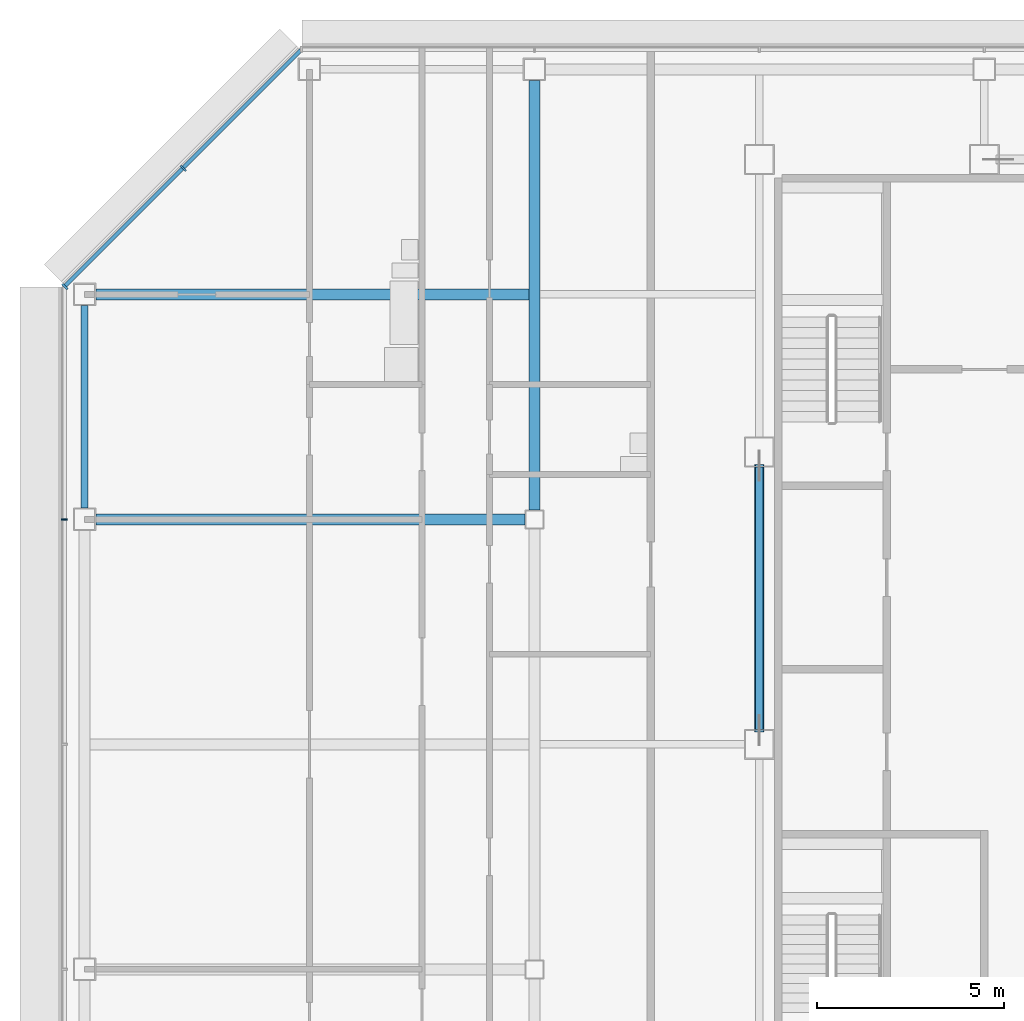
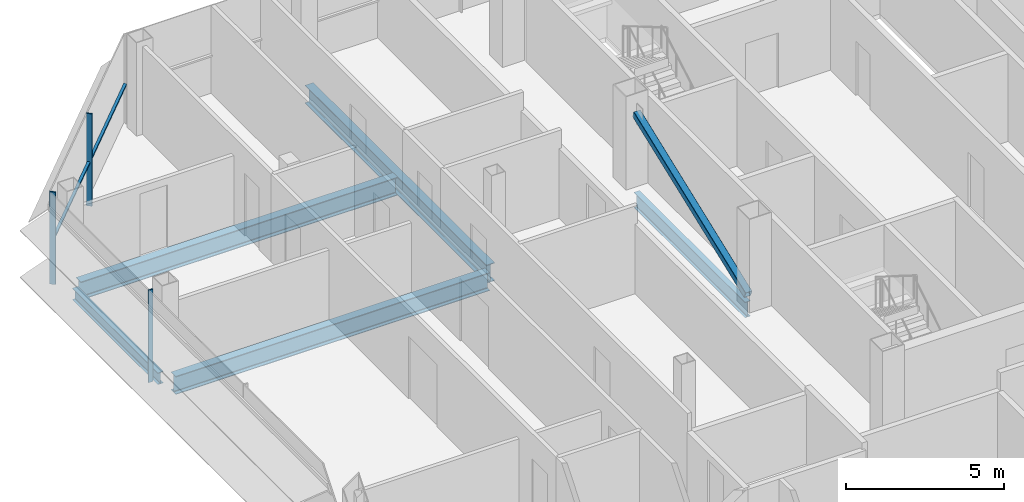
# One storey, part 12 of 28: 5 beams, 5 members, 2 elements without a shape of their own.
"""IFC4 building model written with IfcOpenShell, lengths in metres."""

from ifc_helpers import new_model, si_unit, direction, frame, origin, origin_2d, place, context, subcontext, project, spatial, rectangle, hollow_rectangle, i_section, extrude, material, material_profile, profile_set, type_object, element, aggregate, save


model = new_model("IFC4")

# Units and contexts
model_context = context("Model", 3, precision=1e-05, world=origin(), true_north=direction((0.0, 1.0)))
body_context = subcontext(model_context, "Body", "Model", "MODEL_VIEW")
ifc_project = project(units=[si_unit("LENGTHUNIT", "METRE"), si_unit("AREAUNIT", "SQUARE_METRE"), si_unit("VOLUMEUNIT", "CUBIC_METRE"), si_unit("PLANEANGLEUNIT", "RADIAN"), si_unit("MASSUNIT", "GRAM", prefix="KILO")], contexts=[model_context])

# Site, building, storey
site_placement = place(None, origin())
site = spatial("IfcSite", under=ifc_project, at=site_placement, CompositionType="ELEMENT")
building_placement = place(site_placement, origin())
building = spatial("IfcBuilding", under=site, at=building_placement, Name="Sorahane Residences", CompositionType="ELEMENT")
storey_placement = place(building_placement, frame((0.0, 0.0, 254.0)))
storey = spatial("IfcBuildingStorey", under=building, at=storey_placement, Name="L60", CompositionType="ELEMENT", Elevation=254.0)

# Member
ifc_material_1 = material(Name="Steel Q355B", Category="steel")
ifc_material_profile_1 = material_profile(ifc_material_1, hollow_rectangle(XDim=0.25, YDim=0.25, WallThickness=0.013916015625, InnerFilletRadius=0.007080078125, OuterFilletRadius=0.02099609375, at=origin_2d()), Name="RHS 250x250x14")
ifc_profile_set_1 = profile_set([ifc_material_profile_1], Name="Steel Q355B")
member_type_1 = type_object("IfcMemberType", Name="Core brace RHS 250x250x14 Q355B", PredefinedType="BRACE", material=ifc_profile_set_1)
member_1_placement = place(storey_placement, frame((6.0, 30.373291015625, 0.11474609375), z_axis=(0.0, 0.933896025874, 0.357544700502), x_axis=(-1.0, 0.0, 0.0)))
element("IfcMember", 1, at=member_1_placement, inside=storey, type_object=member_type_1, Name="Core brace L60 x6-2", PredefinedType="BRACE", context=body_context, shape_type="SweptSolid", body=[
    extrude(hollow_rectangle(XDim=0.25, YDim=0.25, WallThickness=0.013916015625, InnerFilletRadius=0.007080078125, OuterFilletRadius=0.02099609375, at=origin_2d()), origin(), (0.0, 0.0, 1.0), 7.552734375),
])

# Curtain wall, member
ifc_material_2 = material(Name="Dark low-e glass and black anodised aluminium", Category="aluminium")
curtain_wall_type_1 = type_object("IfcCurtainWallType", Name="Curtain wall CW-1 Typical unitised wall", PredefinedType="NOTDEFINED", material=ifc_material_2)
curtain_wall_1_placement = place(storey_placement, origin())
curtain_wall_1 = element("IfcCurtainWall", 2, at=curtain_wall_1_placement, inside=storey, type_object=curtain_wall_type_1, Name="CW-1 curtain wall L60 W1", PredefinedType="NOTDEFINED")
ifc_material_3 = material(Name="Black anodised aluminium", Category="aluminium")
ifc_material_profile_2 = material_profile(ifc_material_3, rectangle(XDim=0.159912109375, YDim=0.050048828125, at=origin_2d()), Name="Curtain wall mullion CW-1 black anodised aluminium 50x160")
ifc_profile_set_2 = profile_set([ifc_material_profile_2], Name="Black anodised aluminium")
member_type_2 = type_object("IfcMemberType", Name="Curtain wall mullion CW-1 black anodised aluminium 50x160", PredefinedType="MULLION", material=ifc_profile_set_2)
member_2_placement = place(storey_placement, frame((-12.5400390625, 36.0, -0.179931640625), z_axis=(0.0, 0.0, 1.0), x_axis=(-1.0, 0.0, 0.0)))
member_2 = element("IfcMember", 3, at=member_2_placement, type_object=member_type_2, Name="CW-1 mullion L60 W1.2", PredefinedType="MULLION", context=body_context, shape_type="SweptSolid", body=[
    extrude(rectangle(XDim=0.159912109375, YDim=0.050048828125, at=origin_2d()), origin(), (0.0, 0.0, 1.0), 3.559814453125),
])
aggregate(curtain_wall_1, [member_2])

# Curtain wall, members
ifc_material_4 = material(Name="Dark low-e glass and black anodised aluminium", Category="aluminium")
curtain_wall_type_2 = type_object("IfcCurtainWallType", Name="Curtain wall CW-2 Chamfer unitised wall", PredefinedType="NOTDEFINED", material=ifc_material_4)
curtain_wall_2_placement = place(storey_placement, origin())
curtain_wall_2 = element("IfcCurtainWall", 4, at=curtain_wall_2_placement, inside=storey, type_object=curtain_wall_type_2, Name="CW-2 curtain wall L60 NW1", PredefinedType="NOTDEFINED")
ifc_material_5 = material(Name="Black anodised aluminium", Category="aluminium")
ifc_material_profile_3 = material_profile(ifc_material_5, rectangle(XDim=0.199951171875, YDim=0.050048828125, at=origin_2d()), Name="Curtain wall mullion CW-2 black anodised aluminium 50x200")
ifc_profile_set_3 = profile_set([ifc_material_profile_3], Name="Black anodised aluminium")
member_type_3 = type_object("IfcMemberType", Name="Curtain wall mullion CW-2 black anodised aluminium 50x200", PredefinedType="MULLION", material=ifc_profile_set_3)
member_3_placement = place(storey_placement, frame((-9.36767578125, 45.36767578125, -0.179931640625), z_axis=(0.0, 0.0, 1.0), x_axis=(-0.707106781187, 0.707106781187, 0.0)))
member_3 = element("IfcMember", 5, at=member_3_placement, type_object=member_type_3, Name="CW-2 mullion L60 NW1.2", PredefinedType="MULLION", context=body_context, shape_type="SweptSolid", body=[
    extrude(rectangle(XDim=0.199951171875, YDim=0.050048828125, at=origin_2d()), origin(), (0.0, 0.0, 1.0), 3.559814453125),
])
member_4_placement = place(storey_placement, frame((-12.525634765625, 42.209716796875, -0.179931640625), z_axis=(0.0, 0.0, 1.0), x_axis=(-0.707106781187, 0.707106781187, 0.0)))
member_4 = element("IfcMember", 6, at=member_4_placement, type_object=member_type_3, Name="CW-2 mullion L60 NW1.3", PredefinedType="MULLION", context=body_context, shape_type="SweptSolid", body=[
    extrude(rectangle(XDim=0.199951171875, YDim=0.050048828125, at=origin_2d()), origin(), (0.0, 0.0, 1.0), 3.559814453125),
])
ifc_material_6 = material(Name="Black anodised aluminium", Category="aluminium")
ifc_material_profile_4 = material_profile(ifc_material_6, rectangle(XDim=0.10009765625, YDim=0.06005859375, at=origin_2d()), Name="Curtain wall transom CW-2 black anodised aluminium 60x100")
ifc_profile_set_4 = profile_set([ifc_material_profile_4], Name="Black anodised aluminium")
member_type_4 = type_object("IfcMemberType", Name="Curtain wall transom CW-2 black anodised aluminium 60x100", PredefinedType="USERDEFINED", material=ifc_profile_set_4)
member_5_placement = place(storey_placement, frame((-6.234375, 48.51513671875, 1.5), z_axis=(-0.707106781187, -0.707106781187, 0.0), x_axis=(0.707106781187, -0.707106781187, 0.0)))
member_5 = element("IfcMember", 7, at=member_5_placement, type_object=member_type_4, Name="CW-2 transom L60 NW1", ObjectType="TRANSOM", PredefinedType="USERDEFINED", context=body_context, shape_type="SweptSolid", body=[
    extrude(rectangle(XDim=0.10009765625, YDim=0.06005859375, at=origin_2d()), origin(), (0.0, 0.0, 1.0), 8.88232421875),
])
aggregate(curtain_wall_2, [member_3, member_4, member_5])

# Beams
ifc_material_7 = material(Name="Steel Q355B", Category="steel")
ifc_material_profile_5 = material_profile(ifc_material_7, i_section(OverallWidth=0.199951171875, OverallDepth=0.449951171875, WebThickness=0.009033203125, FlangeThickness=0.013916015625, FilletRadius=0.02001953125, at=origin_2d()), Name="HN 450x200x9x14")
ifc_profile_set_5 = profile_set([ifc_material_profile_5], Name="Steel Q355B")
beam_type_1 = type_object("IfcBeamType", Name="Steel floor beam HN 450x200x9x14 Q355B", PredefinedType="BEAM", material=ifc_profile_set_5)
beam_1_placement = place(storey_placement, frame((-12.0, 36.300048828125, -0.405029296875), z_axis=(0.0, 1.0, 0.0), x_axis=(-1.0, 0.0, 0.0)))
element("IfcBeam", 8, at=beam_1_placement, inside=storey, type_object=beam_type_1, Name="Beam L60 023", PredefinedType="BEAM", context=body_context, shape_type="SweptSolid", body=[
    extrude(i_section(OverallWidth=0.199951171875, OverallDepth=0.449951171875, WebThickness=0.009033203125, FlangeThickness=0.013916015625, FilletRadius=0.02001953125, at=origin_2d()), origin(), (0.0, 0.0, 1.0), 5.39990234375),
])
ifc_material_8 = material(Name="Steel Q355B", Category="steel")
ifc_material_profile_6 = material_profile(ifc_material_8, i_section(OverallWidth=0.199951171875, OverallDepth=0.60009765625, WebThickness=0.010986328125, FlangeThickness=0.01708984375, FilletRadius=0.02392578125, at=origin_2d()), Name="HN 600x200x11x17")
ifc_profile_set_6 = profile_set([ifc_material_profile_6], Name="Steel Q355B")
beam_type_2 = type_object("IfcBeamType", Name="Steel floor beam HN 600x200x11x17 Q355B", PredefinedType="BEAM", material=ifc_profile_set_6)
beam_2_placement = place(storey_placement, frame((6.0, 30.39990234375, -0.47998046875), z_axis=(0.0, 1.0, 0.0), x_axis=(-1.0, 0.0, 0.0)))
element("IfcBeam", 9, at=beam_2_placement, inside=storey, type_object=beam_type_2, Name="Beam L60 031", PredefinedType="BEAM", context=body_context, shape_type="SweptSolid", body=[
    extrude(i_section(OverallWidth=0.199951171875, OverallDepth=0.60009765625, WebThickness=0.010986328125, FlangeThickness=0.01708984375, FilletRadius=0.02392578125, at=origin_2d()), origin(), (0.0, 0.0, 1.0), 7.0),
])
ifc_material_9 = material(Name="Steel Q355B", Category="steel")
ifc_material_profile_7 = material_profile(ifc_material_9, i_section(OverallWidth=0.300048828125, OverallDepth=0.699951171875, WebThickness=0.012939453125, FlangeThickness=0.02392578125, FilletRadius=0.028076171875, at=origin_2d()), Name="HN 700x300x13x24")
ifc_profile_set_7 = profile_set([ifc_material_profile_7], Name="Steel Q355B")
beam_type_3 = type_object("IfcBeamType", Name="Steel floor beam HN 700x300x13x24 Q355B", PredefinedType="BEAM", material=ifc_profile_set_7)
for number, where, z_axis, x_axis, name in (
    (10, (-11.699951171875, 36.0, -0.530029296875), (1.0, 0.0, 0.0), (0.0, 1.0, 0.0), "Beam L60 013"),
    (11, (0.0, 36.25, -0.530029296875), (0.0, 1.0, 0.0), (-1.0, 0.0, 0.0), "Beam L60 027"),
):
    element("IfcBeam", number, at=place(storey_placement, frame(where, z_axis=z_axis, x_axis=x_axis)), inside=storey, type_object=beam_type_3, Name=name, PredefinedType="BEAM", context=body_context, shape_type="SweptSolid", body=[
        extrude(i_section(OverallWidth=0.300048828125, OverallDepth=0.699951171875, WebThickness=0.012939453125, FlangeThickness=0.02392578125, FilletRadius=0.028076171875, at=origin_2d()), origin(), (0.0, 0.0, 1.0), 11.449951171875),
    ])
beam_3_placement = place(storey_placement, frame((-11.699951171875, 42.0, -0.530029296875), z_axis=(1.0, 0.0, 0.0), x_axis=(0.0, 1.0, 0.0)))
element("IfcBeam", 12, at=beam_3_placement, inside=storey, type_object=beam_type_3, Name="Beam L60 089", PredefinedType="BEAM", context=body_context, shape_type="SweptSolid", body=[
    extrude(i_section(OverallWidth=0.300048828125, OverallDepth=0.699951171875, WebThickness=0.012939453125, FlangeThickness=0.02392578125, FilletRadius=0.028076171875, at=origin_2d()), origin(), (0.0, 0.0, 1.0), 11.550048828125),
])

save(model, "model.ifc")
